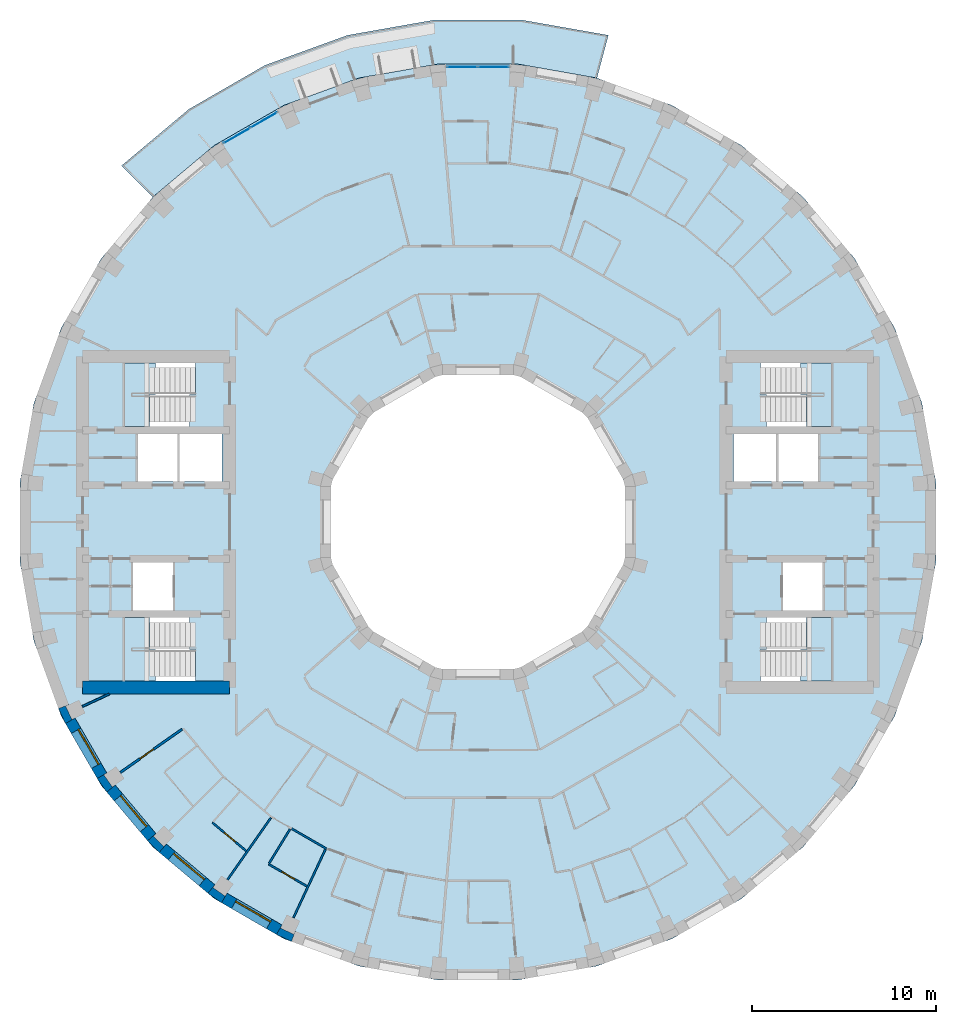
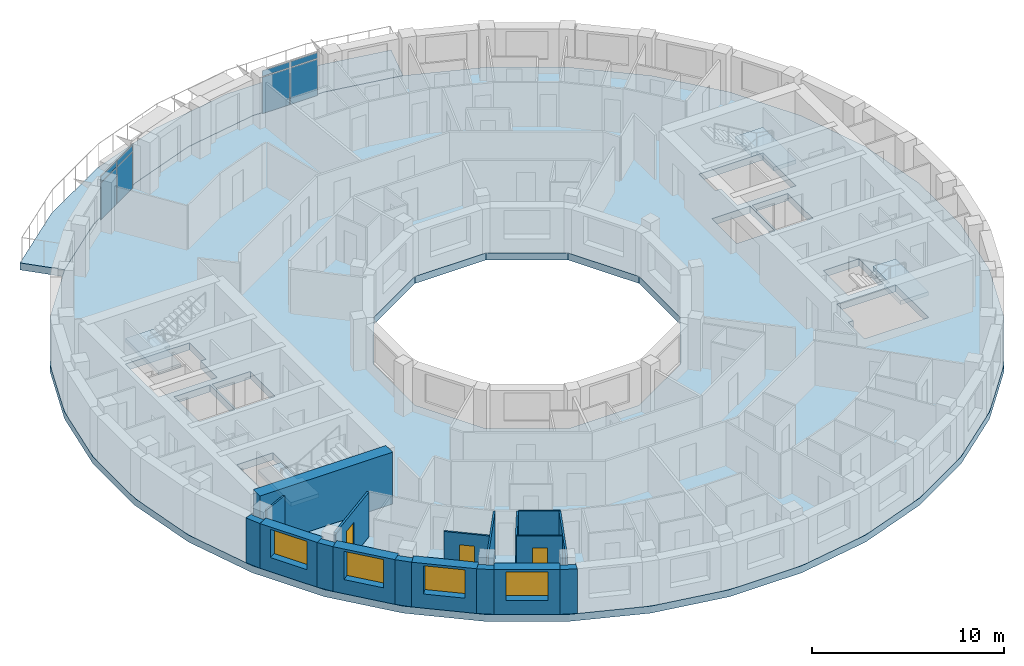
# One storey, part 3 of 14: 18 walls, 8 plates, 6 slabs, 4 windows, 3 doors, 7 openings, 6 elements without a shape of their own.
"""IFC4 building model written with IfcOpenShell, lengths in metres."""

import ifcopenshell
import ifcopenshell.guid

model = None  # the IFC model being written
_history = None  # IfcOwnerHistory: only IFC2X3 demands one
_inside = {}  # id of a spatial element -> (the spatial element, [elements in it])
_under = {}  # id of a project, library or spatial element -> (it, [spatial elements below it])
_declared = {}  # id of a project -> (the project, [libraries it declares])
_typed = {}  # id of a type object -> (the type object, [elements of that type])
_made_of = {}  # id of a material, layer set ... -> (it, [elements and type objects made of it])


def new_model(schema):
    """Start an empty IFC model of exactly this schema.

    Asked for "IFC4X3", IfcOpenShell would pick the latest addendum, in which some entities
    have other attributes; the version numbers below select the first issue.
    IFC2X3 requires an IfcOwnerHistory on every rooted entity: one is made here for all.
    """
    global model, _history
    if schema == "IFC4X3":
        model = ifcopenshell.file(schema_version=(4, 3, 0, 0))
    else:
        model = ifcopenshell.file(schema=schema)
    _inside.clear()
    _under.clear()
    _declared.clear()
    _typed.clear()
    _made_of.clear()
    _history = None
    if model.schema == "IFC2X3":
        org = make("IfcOrganization", Name="unknown")
        user = make(
            "IfcPersonAndOrganization",
            ThePerson=make("IfcPerson", FamilyName="unknown"),
            TheOrganization=org,
        )
        app = make(
            "IfcApplication",
            ApplicationDeveloper=org,
            Version="unknown",
            ApplicationFullName="unknown",
            ApplicationIdentifier="unknown",
        )
        _history = make(
            "IfcOwnerHistory",
            OwningUser=user,
            OwningApplication=app,
            ChangeAction="ADDED",
            CreationDate=0,
        )
    return model


def make(cls, **values):
    """One entity of the class cls with the attributes given. An attribute that is None is left unset."""
    return model.create_entity(
        cls, **{name: value for name, value in values.items() if value is not None}
    )


def rooted(cls, **values):
    """An entity with a GlobalId (a new one), such as an element, a storey or a relation."""
    return make(cls, GlobalId=ifcopenshell.guid.new(), OwnerHistory=_history, **values)


def si_unit(unit_type, name, prefix=None):
    """IfcSIUnit, for example si_unit("LENGTHUNIT", "METRE", prefix="MILLI")."""
    return make("IfcSIUnit", UnitType=unit_type, Prefix=prefix, Name=name)


def assignment(units):
    """IfcUnitAssignment: the units of a project."""
    return None if units is None else make("IfcUnitAssignment", Units=units)


def point(xyz):
    """IfcCartesianPoint."""
    return None if xyz is None else make("IfcCartesianPoint", Coordinates=xyz)


def direction(xyz):
    """IfcDirection."""
    return None if xyz is None else make("IfcDirection", DirectionRatios=xyz)


def frame(location, z_axis=None, x_axis=None):
    """IfcAxis2Placement3D, a coordinate frame: its origin and axes. An axis left out is left unset."""
    return make(
        "IfcAxis2Placement3D",
        Location=point(location),
        Axis=direction(z_axis),
        RefDirection=direction(x_axis),
    )


def frame_2d(location, x_axis=None):
    """IfcAxis2Placement2D, a coordinate frame in the plane: its origin and x axis."""
    return make(
        "IfcAxis2Placement2D", Location=point(location), RefDirection=direction(x_axis)
    )


def origin():
    """The frame at (0, 0, 0) with its axes left unset."""
    return frame((0.0, 0.0, 0.0))


def origin_2d():
    """The frame at (0, 0) in the plane with its x axis left unset."""
    return frame_2d((0.0, 0.0))


def place(relative_to, where):
    """IfcLocalPlacement: puts the frame where relative to a parent placement (None: the world)."""
    return make(
        "IfcLocalPlacement", PlacementRelTo=relative_to, RelativePlacement=where
    )


def context(
    kind, dimensions, precision=None, world=None, true_north=None, identifier=None
):
    """IfcGeometricRepresentationContext, for example the 3D "Model" context."""
    return make(
        "IfcGeometricRepresentationContext",
        ContextIdentifier=identifier,
        ContextType=kind,
        CoordinateSpaceDimension=dimensions,
        Precision=precision,
        WorldCoordinateSystem=world,
        TrueNorth=true_north,
    )


def subcontext(parent, identifier, kind, view, scale=None):
    """IfcGeometricRepresentationSubContext, for example "Body" below "Model"."""
    return make(
        "IfcGeometricRepresentationSubContext",
        ContextIdentifier=identifier,
        ContextType=kind,
        ParentContext=parent,
        TargetScale=scale,
        TargetView=view,
    )


def project(units=None, contexts=None):
    """IfcProject with its units and contexts."""
    return rooted(
        "IfcProject",
        Name="project",
        RepresentationContexts=contexts,
        UnitsInContext=assignment(units),
    )


def spatial(cls, under=None, at=None, **own):
    """A site, building, storey or space (cls), placed at a placement, below another one or the project."""
    s = rooted(cls, ObjectPlacement=at, **own)
    if under is not None:
        _under.setdefault(under.id(), (under, []))[1].append(s)
    return s


def polyline(points):
    """IfcPolyline through the points."""
    return make("IfcPolyline", Points=[point(p) for p in points])


def profile(cls, at=None, kind="AREA", **sizes):
    """A parametric profile (cls). Its sizes go by their IFC names, for example OverallWidth=200.0."""
    return make(cls, ProfileType=kind, Position=at, **sizes)


def rectangle(**sizes):
    """IfcRectangleProfileDef."""
    return profile("IfcRectangleProfileDef", **sizes)


def outline(outer, holes=None, kind="AREA"):
    """IfcArbitraryClosedProfileDef: a profile drawn as a closed curve; with holes, ...WithVoids."""
    if holes is None:
        return make("IfcArbitraryClosedProfileDef", ProfileType=kind, OuterCurve=outer)
    return make(
        "IfcArbitraryProfileDefWithVoids",
        ProfileType=kind,
        OuterCurve=outer,
        InnerCurves=holes,
    )


def extrude(swept, where, along, depth):
    """IfcExtrudedAreaSolid: the profile swept, set in the frame where, extruded along a direction by depth."""
    return make(
        "IfcExtrudedAreaSolid",
        SweptArea=swept,
        Position=where,
        ExtrudedDirection=direction(along),
        Depth=depth,
    )


def shape(context_of_items, identifier, shape_type, items):
    """IfcShapeRepresentation: the items that make up one representation, for example the "Body"."""
    return make(
        "IfcShapeRepresentation",
        ContextOfItems=context_of_items,
        RepresentationIdentifier=identifier,
        RepresentationType=shape_type,
        Items=items,
    )


def material(Name=None, Category=None):
    """IfcMaterial."""
    return make("IfcMaterial", Name=Name, Category=Category)


def layer(
    of_material, thickness, ventilated=None, Name=None, Category=None, Priority=None
):
    """IfcMaterialLayer: one layer of a wall or slab, of a material (None: an air gap)."""
    return make(
        "IfcMaterialLayer",
        Material=of_material,
        LayerThickness=thickness,
        IsVentilated=ventilated,
        Name=Name,
        Category=Category,
        Priority=Priority,
    )


def layer_set(layers, Name=None):
    """IfcMaterialLayerSet."""
    return make("IfcMaterialLayerSet", MaterialLayers=layers, LayerSetName=Name)


def made_of(thing, what):
    """Note that an element or type object is made of a material, layer set ...; save() writes the relation."""
    if what is not None:
        _made_of.setdefault(what.id(), (what, []))[1].append(thing)
    return thing


def type_object(cls, material=None, **own):
    """A type object (cls), such as IfcWallType, which elements share."""
    return made_of(rooted(cls, **own), material)


def element(
    cls,
    number,
    at=None,
    inside=None,
    cuts=None,
    type_object=None,
    material=None,
    context=None,
    identifier="Body",
    shape_type=None,
    held_by="IfcProductDefinitionShape",
    body=None,
    shapes=None,
    **own,
):
    """One element of the class cls, such as IfcWall. Its Tag is "e" and its number.

    at: its placement. inside: the storey or other place that contains it. cuts: it is an
    opening in that element (IfcRelVoidsElement). A single representation is given by context,
    identifier, shape_type and body (its items); several are given by shapes. held_by: the class
    of the entity that holds the representations. save() writes the other relations.
    """
    e = rooted(cls, Tag="e%d" % number, ObjectPlacement=at, **own)
    if body is not None:
        shapes = [shape(context, identifier, shape_type, body)]
    if shapes is not None:
        e.Representation = make(held_by, Representations=shapes)
    if inside is not None:
        _inside.setdefault(inside.id(), (inside, []))[1].append(e)
    if cuts is not None:
        rooted(
            "IfcRelVoidsElement", RelatingBuildingElement=cuts, RelatedOpeningElement=e
        )
    if type_object is not None:
        _typed.setdefault(type_object.id(), (type_object, []))[1].append(e)
    return made_of(e, material)


def fill(opening, filler):
    """IfcRelFillsElement: the door or window that sits in an opening."""
    return rooted(
        "IfcRelFillsElement",
        RelatingOpeningElement=opening,
        RelatedBuildingElement=filler,
    )


def aggregate(whole, parts):
    """IfcRelAggregates: a whole, such as a stair, and the parts it consists of."""
    return rooted("IfcRelAggregates", RelatingObject=whole, RelatedObjects=parts)


def save(model, path):
    """Write the relations noted so far, then the file.

    IfcRelAggregates (storeys below a building ...), IfcRelContainedInSpatialStructure (elements
    in a storey), IfcRelDefinesByType, IfcRelAssociatesMaterial and IfcRelDeclares: one each for
    every whole, place, type object, material and project.
    """
    for whole, parts in _under.values():
        aggregate(whole, parts)
    for where, things in _inside.values():
        rooted(
            "IfcRelContainedInSpatialStructure",
            RelatedElements=things,
            RelatingStructure=where,
        )
    for kind, things in _typed.values():
        rooted("IfcRelDefinesByType", RelatedObjects=things, RelatingType=kind)
    for what, things in _made_of.values():
        rooted("IfcRelAssociatesMaterial", RelatedObjects=things, RelatingMaterial=what)
    for by, libraries in _declared.values():
        rooted("IfcRelDeclares", RelatingContext=by, RelatedDefinitions=libraries)
    model.write(path)


model = new_model("IFC4")

# Units and contexts
model_context = context("Model", 3, precision=1e-05, world=origin(), true_north=direction((0.0, 1.0)))
body_context = subcontext(model_context, "Body", "Model", "MODEL_VIEW")
ifc_project = project(units=[si_unit("LENGTHUNIT", "METRE"), si_unit("AREAUNIT", "SQUARE_METRE"), si_unit("VOLUMEUNIT", "CUBIC_METRE"), si_unit("PLANEANGLEUNIT", "RADIAN"), si_unit("MASSUNIT", "GRAM", prefix="KILO")], contexts=[model_context])

# Site, building, storey
site_placement = place(None, origin())
site = spatial("IfcSite", under=ifc_project, at=site_placement, CompositionType="ELEMENT")
building_placement = place(site_placement, origin())
building = spatial("IfcBuilding", under=site, at=building_placement, Name="Saqina Gate Tower", CompositionType="ELEMENT")
storey_placement = place(building_placement, frame((0.0, 0.0, 213.60009765625)))
storey = spatial("IfcBuildingStorey", under=building, at=storey_placement, Name="L61", CompositionType="ELEMENT", Elevation=213.60009765625)

# Curtain wall, plates
ifc_material_1 = material(Name="Aluminium glazing", Category="aluminium")
ifc_layer_1 = layer(ifc_material_1, 0.159912109375)
ifc_layer_set_1 = layer_set([ifc_layer_1], Name="CWT-4")
curtain_wall_type = type_object("IfcCurtainWallType", Name="CWT-4", PredefinedType="NOTDEFINED", material=ifc_layer_set_1)
curtain_wall_1_placement = place(storey_placement, origin())
curtain_wall_1 = element("IfcCurtainWall", 1, at=curtain_wall_1_placement, inside=storey, type_object=curtain_wall_type, Name="Terrace lounge glazing facet 9", PredefinedType="NOTDEFINED")
ifc_material_2 = material(Name="Glass", Category="glass")
ifc_layer_2 = layer(ifc_material_2, 0.028076171875)
ifc_layer_set_2 = layer_set([ifc_layer_2], Name="CWT-4P")
plate_type = type_object("IfcPlateType", Name="CWT-4P", PredefinedType="CURTAIN_PANEL", material=ifc_layer_set_2)
plate_1_placement = place(storey_placement, frame((0.847412109375, 24.7548828125, 0.059814453125), z_axis=(0.0, 0.0, 1.0), x_axis=(-1.0, 0.0, 0.0)))
plate_1 = element("IfcPlate", 2, at=plate_1_placement, type_object=plate_type, Name="CW4-09 panel 1.1", PredefinedType="CURTAIN_PANEL", context=body_context, shape_type="SweptSolid", body=[
    extrude(rectangle(XDim=1.635009765625, YDim=0.028076171875, at=origin_2d()), origin(), (0.0, 0.0, 1.0), 2.31005859375),
])
plate_2_placement = place(storey_placement, frame((0.847412109375, 24.7548828125, 2.4296875), z_axis=(0.0, 0.0, 1.0), x_axis=(-1.0, 0.0, 0.0)))
plate_2 = element("IfcPlate", 3, at=plate_2_placement, type_object=plate_type, Name="CW4-09 panel 1.2", PredefinedType="CURTAIN_PANEL", context=body_context, shape_type="SweptSolid", body=[
    extrude(rectangle(XDim=1.635009765625, YDim=0.028076171875, at=origin_2d()), origin(), (0.0, 0.0, 1.0), 0.360107421875),
])
plate_3_placement = place(storey_placement, frame((-0.847412109375, 24.7548828125, 0.059814453125), z_axis=(0.0, 0.0, 1.0), x_axis=(-1.0, 0.0, 0.0)))
plate_3 = element("IfcPlate", 4, at=plate_3_placement, type_object=plate_type, Name="CW4-09 panel 2.1", PredefinedType="CURTAIN_PANEL", context=body_context, shape_type="SweptSolid", body=[
    extrude(rectangle(XDim=1.635009765625, YDim=0.028076171875, at=origin_2d()), origin(), (0.0, 0.0, 1.0), 2.31005859375),
])
plate_4_placement = place(storey_placement, frame((-0.847412109375, 24.7548828125, 2.4296875), z_axis=(0.0, 0.0, 1.0), x_axis=(-1.0, 0.0, 0.0)))
plate_4 = element("IfcPlate", 5, at=plate_4_placement, type_object=plate_type, Name="CW4-09 panel 2.2", PredefinedType="CURTAIN_PANEL", context=body_context, shape_type="SweptSolid", body=[
    extrude(rectangle(XDim=1.635009765625, YDim=0.028076171875, at=origin_2d()), origin(), (0.0, 0.0, 1.0), 0.360107421875),
])
aggregate(curtain_wall_1, [plate_1, plate_2, plate_3, plate_4])

curtain_wall_2_placement = place(storey_placement, origin())
curtain_wall_2 = element("IfcCurtainWall", 6, at=curtain_wall_2_placement, inside=storey, type_object=curtain_wall_type, Name="Terrace lounge glazing facet 12", PredefinedType="NOTDEFINED")
plate_5_placement = place(storey_placement, frame((-11.6435546875, 21.862060546875, 0.059814453125), z_axis=(0.0, 0.0, 1.0), x_axis=(-0.866017110341, -0.500014364391, 0.0)))
plate_5 = element("IfcPlate", 7, at=plate_5_placement, type_object=plate_type, Name="CW4-12 panel 1.1", PredefinedType="CURTAIN_PANEL", context=body_context, shape_type="SweptSolid", body=[
    extrude(rectangle(XDim=1.634765625, YDim=0.028076171875, at=origin_2d()), origin(), (0.0, 0.0, 1.0), 2.31005859375),
])
plate_6_placement = place(storey_placement, frame((-11.6435546875, 21.862060546875, 2.4296875), z_axis=(0.0, 0.0, 1.0), x_axis=(-0.866017110341, -0.500014364391, 0.0)))
plate_6 = element("IfcPlate", 8, at=plate_6_placement, type_object=plate_type, Name="CW4-12 panel 1.2", PredefinedType="CURTAIN_PANEL", context=body_context, shape_type="SweptSolid", body=[
    extrude(rectangle(XDim=1.634765625, YDim=0.028076171875, at=origin_2d()), origin(), (0.0, 0.0, 1.0), 0.360107421875),
])
plate_7_placement = place(storey_placement, frame((-13.111328125, 21.0146484375, 0.059814453125), z_axis=(0.0, 0.0, 1.0), x_axis=(-0.866017110341, -0.500014364391, 0.0)))
plate_7 = element("IfcPlate", 9, at=plate_7_placement, type_object=plate_type, Name="CW4-12 panel 2.1", PredefinedType="CURTAIN_PANEL", context=body_context, shape_type="SweptSolid", body=[
    extrude(rectangle(XDim=1.634765625, YDim=0.028076171875, at=origin_2d()), origin(), (0.0, 0.0, 1.0), 2.31005859375),
])
plate_8_placement = place(storey_placement, frame((-13.111328125, 21.0146484375, 2.4296875), z_axis=(0.0, 0.0, 1.0), x_axis=(-0.866017110341, -0.500014364391, 0.0)))
plate_8 = element("IfcPlate", 10, at=plate_8_placement, type_object=plate_type, Name="CW4-12 panel 2.2", PredefinedType="CURTAIN_PANEL", context=body_context, shape_type="SweptSolid", body=[
    extrude(rectangle(XDim=1.634765625, YDim=0.028076171875, at=origin_2d()), origin(), (0.0, 0.0, 1.0), 0.360107421875),
])
aggregate(curtain_wall_2, [plate_5, plate_6, plate_7, plate_8])

# Stair, slab
ifc_material_3 = material(Name="Concrete C40/50", Category="concrete")
stair_type = type_object("IfcStairType", Name="EXIT STAIR", PredefinedType="HALF_TURN_STAIR", material=ifc_material_3)
stair_1_placement = place(storey_placement, origin())
stair_1 = element("IfcStair", 11, at=stair_1_placement, inside=storey, type_object=stair_type, Name="EXIT STAIR 1", PredefinedType="HALF_TURN_STAIR")
ifc_material_4 = material(Name="Concrete C40/50", Category="concrete")
ifc_layer_3 = layer(ifc_material_4, 0.25)
ifc_layer_set_3 = layer_set([ifc_layer_3], Name="Concrete C40/50")
slab_type_1 = type_object("IfcSlabType", Name="EXIT STAIR LANDING", PredefinedType="LANDING", material=ifc_layer_set_3)
slab_1_placement = place(storey_placement, frame((0.0, 0.0, 1.39990234375)))
slab_1 = element("IfcSlab", 12, at=slab_1_placement, type_object=slab_type_1, Name="EXIT STAIR 1 LANDING 1", PredefinedType="LANDING", context=body_context, shape_type="SweptSolid", body=[
    extrude(outline(polyline([(19.219970703125, 8.64990234375), (19.219970703125, 5.199951171875), (17.864990234375, 5.199951171875), (17.864990234375, 6.925048828125), (17.534423828125, 6.925048828125), (17.534423828125, 8.64990234375), (17.864990234375, 8.64990234375), (17.8701171875, 8.64990234375), (19.219970703125, 8.64990234375)])), origin(), (0.0, 0.0, 1.0), 0.25),
])
aggregate(stair_1, [slab_1])

stair_2_placement = place(storey_placement, origin())
stair_2 = element("IfcStair", 13, at=stair_2_placement, inside=storey, type_object=stair_type, Name="EXIT STAIR 2", PredefinedType="HALF_TURN_STAIR")
slab_2_placement = place(storey_placement, frame((0.0, 0.0, 1.39990234375)))
slab_2 = element("IfcSlab", 14, at=slab_2_placement, type_object=slab_type_1, Name="EXIT STAIR 2 LANDING 1", PredefinedType="LANDING", context=body_context, shape_type="SweptSolid", body=[
    extrude(outline(polyline([(17.534423828125, -8.64990234375), (17.534423828125, -6.925048828125), (17.864990234375, -6.925048828125), (17.864990234375, -5.199951171875), (19.219970703125, -5.199951171875), (19.219970703125, -8.64990234375), (17.8701171875, -8.64990234375), (17.864990234375, -8.64990234375), (17.534423828125, -8.64990234375)])), origin(), (0.0, 0.0, 1.0), 0.25),
])
aggregate(stair_2, [slab_2])

stair_3_placement = place(storey_placement, origin())
stair_3 = element("IfcStair", 15, at=stair_3_placement, inside=storey, type_object=stair_type, Name="EXIT STAIR 3", PredefinedType="HALF_TURN_STAIR")
slab_3_placement = place(storey_placement, frame((0.0, 0.0, 1.39990234375)))
slab_3 = element("IfcSlab", 16, at=slab_3_placement, type_object=slab_type_1, Name="EXIT STAIR 3 LANDING 1", PredefinedType="LANDING", context=body_context, shape_type="SweptSolid", body=[
    extrude(outline(polyline([(-17.864990234375, 5.199951171875), (-19.219970703125, 5.199951171875), (-19.219970703125, 8.64990234375), (-17.8701171875, 8.64990234375), (-17.864990234375, 8.64990234375), (-17.534423828125, 8.64990234375), (-17.534423828125, 6.925048828125), (-17.864990234375, 6.925048828125), (-17.864990234375, 5.199951171875)])), origin(), (0.0, 0.0, 1.0), 0.25),
])
aggregate(stair_3, [slab_3])

stair_4_placement = place(storey_placement, origin())
stair_4 = element("IfcStair", 17, at=stair_4_placement, inside=storey, type_object=stair_type, Name="EXIT STAIR 4", PredefinedType="HALF_TURN_STAIR")
slab_4_placement = place(storey_placement, frame((0.0, 0.0, 1.39990234375)))
slab_4 = element("IfcSlab", 18, at=slab_4_placement, type_object=slab_type_1, Name="EXIT STAIR 4 LANDING 1", PredefinedType="LANDING", context=body_context, shape_type="SweptSolid", body=[
    extrude(outline(polyline([(-17.534423828125, -6.925048828125), (-17.534423828125, -8.64990234375), (-17.864990234375, -8.64990234375), (-17.8701171875, -8.64990234375), (-19.219970703125, -8.64990234375), (-19.219970703125, -5.199951171875), (-17.864990234375, -5.199951171875), (-17.864990234375, -6.925048828125), (-17.534423828125, -6.925048828125)])), origin(), (0.0, 0.0, 1.0), 0.25),
])
aggregate(stair_4, [slab_4])

# Slabs
ifc_material_5 = material(Name="Concrete C40/50", Category="concrete")
ifc_layer_4 = layer(ifc_material_5, 0.449951171875)
ifc_layer_set_4 = layer_set([ifc_layer_4], Name="Concrete C40/50")
slab_type_2 = type_object("IfcSlabType", Name="STR-POST-TENSIONED FLAT PLATE FLOOR-450", PredefinedType="FLOOR", material=ifc_layer_set_4)
slab_5_placement = place(storey_placement, frame((0.0, 0.0, -0.4501953125)))
element("IfcSlab", 19, at=slab_5_placement, inside=storey, type_object=slab_type_2, Name="L61-SLB01", PredefinedType="FLOOR", context=body_context, shape_type="SweptSolid", body=[
    extrude(outline(polyline([(24.148193359375, -6.470458984375), (24.90478515625, -2.178955078125), (24.90478515625, 2.178955078125), (24.148193359375, 6.470458984375), (22.65771484375, 10.5654296875), (20.478759765625, 14.33935546875), (17.677734375, 17.677734375), (14.33935546875, 20.478759765625), (10.5654296875, 22.65771484375), (6.470458984375, 24.148193359375), (2.178955078125, 24.90478515625), (-2.178955078125, 24.90478515625), (-6.470458984375, 24.148193359375), (-10.5654296875, 22.65771484375), (-14.33935546875, 20.478759765625), (-17.677734375, 17.677734375), (-20.478759765625, 14.33935546875), (-22.65771484375, 10.5654296875), (-24.148193359375, 6.470458984375), (-24.90478515625, 2.178955078125), (-24.90478515625, -2.178955078125), (-24.148193359375, -6.470458984375), (-22.65771484375, -10.5654296875), (-20.478759765625, -14.33935546875), (-17.677734375, -17.677734375), (-14.33935546875, -20.478759765625), (-10.5654296875, -22.65771484375), (-6.470458984375, -24.148193359375), (-2.178955078125, -24.90478515625), (2.178955078125, -24.90478515625), (6.470458984375, -24.148193359375), (10.5654296875, -22.65771484375), (14.33935546875, -20.478759765625), (17.677734375, -17.677734375), (20.478759765625, -14.33935546875), (22.65771484375, -10.5654296875), (24.148193359375, -6.470458984375)]), holes=[polyline([(2.1435546875, 8.0), (5.8564453125, 5.8564453125), (8.0, 2.1435546875), (8.0, -2.1435546875), (5.8564453125, -5.8564453125), (2.1435546875, -8.0), (-2.1435546875, -8.0), (-5.8564453125, -5.8564453125), (-8.0, -2.1435546875), (-8.0, 2.1435546875), (-5.8564453125, 5.8564453125), (-2.1435546875, 8.0), (2.1435546875, 8.0)]), polyline([(-15.35498046875, -8.64990234375), (-19.219970703125, -8.64990234375), (-19.219970703125, -6.925048828125), (-19.219970703125, -5.199951171875), (-15.685546875, -5.199951171875), (-15.685546875, -6.925048828125), (-15.35498046875, -6.925048828125), (-15.35498046875, -8.64990234375)]), polyline([(-16.590087890625, -2.199951171875), (-16.590087890625, -4.800048828125), (-18.75, -4.800048828125), (-18.75, -2.199951171875), (-16.590087890625, -2.199951171875)]), polyline([(-16.340087890625, 4.800048828125), (-16.340087890625, 2.199951171875), (-18.5, 2.199951171875), (-18.5, 4.800048828125), (-16.340087890625, 4.800048828125)]), polyline([(-13.909912109375, 4.800048828125), (-13.909912109375, 2.199951171875), (-16.219970703125, 2.199951171875), (-16.219970703125, 4.800048828125), (-13.909912109375, 4.800048828125)]), polyline([(-19.219970703125, 6.925048828125), (-19.219970703125, 8.64990234375), (-15.35498046875, 8.64990234375), (-15.35498046875, 6.925048828125), (-15.685546875, 6.925048828125), (-15.685546875, 5.199951171875), (-19.219970703125, 5.199951171875), (-19.219970703125, 6.925048828125)]), polyline([(15.35498046875, -8.64990234375), (15.35498046875, -6.925048828125), (15.685546875, -6.925048828125), (15.685546875, -5.199951171875), (19.219970703125, -5.199951171875), (19.219970703125, -6.925048828125), (19.219970703125, -8.64990234375), (15.35498046875, -8.64990234375)]), polyline([(18.75, -2.199951171875), (18.75, -4.800048828125), (16.590087890625, -4.800048828125), (16.590087890625, -2.199951171875), (18.75, -2.199951171875)]), polyline([(16.219970703125, 4.800048828125), (16.219970703125, 2.199951171875), (13.909912109375, 2.199951171875), (13.909912109375, 4.800048828125), (16.219970703125, 4.800048828125)]), polyline([(18.5, 4.800048828125), (18.5, 2.199951171875), (16.340087890625, 2.199951171875), (16.340087890625, 4.800048828125), (18.5, 4.800048828125)]), polyline([(15.685546875, 6.925048828125), (15.35498046875, 6.925048828125), (15.35498046875, 8.64990234375), (19.219970703125, 8.64990234375), (19.219970703125, 6.925048828125), (19.219970703125, 5.199951171875), (15.685546875, 5.199951171875), (15.685546875, 6.925048828125)])]), origin(), (0.0, 0.0, 1.0), 0.4501953125),
])
ifc_material_6 = material(Name="Concrete C40/50", Category="concrete")
ifc_layer_5 = layer(ifc_material_6, 0.449951171875)
ifc_layer_set_5 = layer_set([ifc_layer_5], Name="Concrete C40/50")
slab_type_3 = type_object("IfcSlabType", Name="STR-POST-TENSIONED FLAT PLATE TERRACE-450", PredefinedType="FLOOR", material=ifc_layer_set_5)
slab_6_placement = place(storey_placement, frame((0.0, 0.0, -0.4501953125)))
element("IfcSlab", 20, at=slab_6_placement, inside=storey, type_object=slab_type_3, Name="L61-TRS01", PredefinedType="FLOOR", context=body_context, shape_type="SweptSolid", body=[
    extrude(outline(polyline([(6.470458984375, 24.148193359375), (2.178955078125, 24.90478515625), (-2.178955078125, 24.90478515625), (-6.470458984375, 24.148193359375), (-10.5654296875, 22.65771484375), (-14.33935546875, 20.478759765625), (-17.677734375, 17.677734375), (-19.381103515625, 19.381103515625), (-15.72119140625, 22.452392578125), (-11.58349609375, 24.841064453125), (-7.093994140625, 26.475341796875), (-2.388916015625, 27.304931640625), (2.388916015625, 27.304931640625), (7.093994140625, 26.475341796875), (6.470458984375, 24.148193359375)])), origin(), (0.0, 0.0, 1.0), 0.4501953125),
])

# Walls
ifc_material_7 = material(Name="Brick masonry (buff)", Category="masonry")
wall_type_1 = type_object("IfcWallType", Name="BRICK PIER COPING BUFF", PredefinedType="SOLIDWALL", material=ifc_material_7)
wall_1_placement = place(storey_placement, origin())
element("IfcWall", 21, at=wall_1_placement, inside=storey, type_object=wall_type_1, Name="Pier cap L61 column 21", PredefinedType="SOLIDWALL", context=body_context, shape_type="SweptSolid", body=[
    extrude(outline(polyline([(-22.4306640625, -10.958740234375), (-21.9111328125, -10.65869140625), (-22.080810546875, -10.73779296875), (-22.4189453125, -10.0126953125), (-22.249267578125, -9.93359375), (-22.81298828125, -10.138916015625), (-22.4306640625, -10.958740234375)])), origin(), (0.0, 0.0, 1.0), 2.849853515625),
])
wall_2_placement = place(storey_placement, origin())
element("IfcWall", 22, at=wall_2_placement, inside=storey, type_object=wall_type_1, Name="Pier cap L61 column 22", PredefinedType="SOLIDWALL", context=body_context, shape_type="SweptSolid", body=[
    extrude(outline(polyline([(-20.705810546875, -13.9462890625), (-20.18701171875, -14.687255859375), (-19.727294921875, -14.301513671875), (-19.880859375, -14.408935546875), (-20.339599609375, -13.753662109375), (-20.186279296875, -13.646240234375), (-20.705810546875, -13.9462890625)])), origin(), (0.0, 0.0, 1.0), 2.849853515625),
])
wall_3_placement = place(storey_placement, origin())
element("IfcWall", 23, at=wall_3_placement, inside=storey, type_object=wall_type_1, Name="Pier cap L61 column 23", PredefinedType="SOLIDWALL", context=body_context, shape_type="SweptSolid", body=[
    extrude(outline(polyline([(-17.329833984375, -17.969482421875), (-16.944091796875, -17.510009765625), (-17.07666015625, -17.642333984375), (-17.642333984375, -17.07666015625), (-17.510009765625, -16.944091796875), (-17.969482421875, -17.329833984375), (-17.329833984375, -17.969482421875)])), origin(), (0.0, 0.0, 1.0), 2.849853515625),
])
wall_4_placement = place(storey_placement, origin())
element("IfcWall", 24, at=wall_4_placement, inside=storey, type_object=wall_type_1, Name="Pier cap L61 column 24", PredefinedType="SOLIDWALL", context=body_context, shape_type="SweptSolid", body=[
    extrude(outline(polyline([(-14.687255859375, -20.18701171875), (-13.9462890625, -20.705810546875), (-13.646240234375, -20.186279296875), (-13.753662109375, -20.339599609375), (-14.408935546875, -19.880859375), (-14.301513671875, -19.727294921875), (-14.687255859375, -20.18701171875)])), origin(), (0.0, 0.0, 1.0), 2.849853515625),
])
wall_5_placement = place(storey_placement, origin())
element("IfcWall", 25, at=wall_5_placement, inside=storey, type_object=wall_type_1, Name="Pier cap L61 column 25", PredefinedType="SOLIDWALL", context=body_context, shape_type="SweptSolid", body=[
    extrude(outline(polyline([(-10.138916015625, -22.81298828125), (-9.93359375, -22.249267578125), (-10.0126953125, -22.4189453125), (-10.73779296875, -22.080810546875), (-10.65869140625, -21.9111328125), (-10.958740234375, -22.4306640625), (-10.138916015625, -22.81298828125)])), origin(), (0.0, 0.0, 1.0), 2.849853515625),
])

# Wall, opening, window
ifc_material_8 = material(Name="Brick masonry (buff)", Category="masonry")
ifc_layer_6 = layer(ifc_material_8, 0.60009765625)
ifc_layer_set_6 = layer_set([ifc_layer_6], Name="FW-BRICK-BUFF")
wall_type_2 = type_object("IfcWallType", Name="FW-BRICK-BUFF", PredefinedType="SOLIDWALL", material=ifc_layer_set_6)
wall_6_placement = place(storey_placement, frame((-22.1708984375, -10.80859375, 0.0), z_axis=(0.0, 0.0, 1.0), x_axis=(0.499998129301, -0.86602648383, 0.0)))
wall_6 = element("IfcWall", 26, at=wall_6_placement, inside=storey, type_object=wall_type_2, Name="Facade wall L61 facet 21", PredefinedType="SOLIDWALL", context=body_context, shape_type="SweptSolid", body=[
    extrude(rectangle(XDim=3.44970703125, YDim=0.60009765625, at=frame_2d((1.724853515625, 0.0))), origin(), (0.0, 0.0, 1.0), 2.849853515625),
])
opening_1_placement = place(wall_6_placement, frame((0.625, 0.0, 0.89990234375)))
opening_1 = element("IfcOpeningElement", 27, at=opening_1_placement, cuts=wall_6, Name="Opening G18-W10", PredefinedType="OPENING", context=body_context, shape_type="SweptSolid", body=[
    extrude(rectangle(XDim=2.199951171875, YDim=1.800048828125, at=frame_2d((1.10009765625, 0.89990234375))), frame((0.0, 0.31201171875, 0.0), z_axis=(0.0, -1.0, 0.0), x_axis=(1.0, 0.0, 0.0)), (0.0, 0.0, 1.0), 0.6240234375),
])
ifc_material_9 = material(Name="Aluminium glazing", Category="aluminium")
window_type = type_object("IfcWindowType", Name="WN-C", PartitioningType="SINGLE_PANEL", PredefinedType="WINDOW", material=ifc_material_9)
window_1_placement = place(opening_1_placement, origin())
window_1 = element("IfcWindow", 28, at=window_1_placement, inside=storey, type_object=window_type, Name="Window L61 facet 21", OverallHeight=1.800048828125, OverallWidth=2.199951171875, PartitioningType="SINGLE_PANEL", PredefinedType="WINDOW", context=body_context, shape_type="SweptSolid", body=[
    extrude(rectangle(XDim=2.199951171875, YDim=1.800048828125, at=frame_2d((1.10009765625, 0.89990234375))), frame((0.0, 0.179931640625, 0.0), z_axis=(0.0, -1.0, 0.0), x_axis=(1.0, 0.0, 0.0)), (0.0, 0.0, 1.0), 0.06005859375),
])
fill(opening_1, window_1)

wall_7_placement = place(storey_placement, frame((-19.95703125, -14.494384765625, 0.0), z_axis=(0.0, 0.0, 1.0), x_axis=(0.642770398358, -0.766058884809, 0.0)))
wall_7 = element("IfcWall", 29, at=wall_7_placement, inside=storey, type_object=wall_type_2, Name="Facade wall L61 facet 22", PredefinedType="SOLIDWALL", context=body_context, shape_type="SweptSolid", body=[
    extrude(rectangle(XDim=3.449462890625, YDim=0.60009765625, at=frame_2d((1.724609375, 0.0))), origin(), (0.0, 0.0, 1.0), 2.849853515625),
])
opening_2_placement = place(wall_7_placement, frame((0.625, 0.0, 0.89990234375)))
opening_2 = element("IfcOpeningElement", 30, at=opening_2_placement, cuts=wall_7, Name="Opening G18-W11", PredefinedType="OPENING", context=body_context, shape_type="SweptSolid", body=[
    extrude(rectangle(XDim=2.199951171875, YDim=1.800048828125, at=frame_2d((1.10009765625, 0.89990234375))), frame((0.0, 0.31201171875, 0.0), z_axis=(0.0, -1.0, 0.0), x_axis=(1.0, 0.0, 0.0)), (0.0, 0.0, 1.0), 0.6240234375),
])
window_2_placement = place(opening_2_placement, origin())
window_2 = element("IfcWindow", 31, at=window_2_placement, inside=storey, type_object=window_type, Name="Window L61 facet 22", OverallHeight=1.800048828125, OverallWidth=2.199951171875, PartitioningType="SINGLE_PANEL", PredefinedType="WINDOW", context=body_context, shape_type="SweptSolid", body=[
    extrude(rectangle(XDim=2.199951171875, YDim=1.800048828125, at=frame_2d((1.10009765625, 0.89990234375))), frame((0.0, 0.179931640625, 0.0), z_axis=(0.0, -1.0, 0.0), x_axis=(1.0, 0.0, 0.0)), (0.0, 0.0, 1.0), 0.06005859375),
])
fill(opening_2, window_2)

wall_8_placement = place(storey_placement, frame((-17.136962890625, -17.73974609375, 0.0), z_axis=(0.0, 0.0, 1.0), x_axis=(0.766058884809, -0.642770398358, 0.0)))
wall_8 = element("IfcWall", 32, at=wall_8_placement, inside=storey, type_object=wall_type_2, Name="Facade wall L61 facet 23", PredefinedType="SOLIDWALL", context=body_context, shape_type="SweptSolid", body=[
    extrude(rectangle(XDim=3.449462890625, YDim=0.60009765625, at=frame_2d((1.724609375, 0.0))), origin(), (0.0, 0.0, 1.0), 2.849853515625),
])
opening_3_placement = place(wall_8_placement, frame((0.625, 0.0, 0.89990234375)))
opening_3 = element("IfcOpeningElement", 33, at=opening_3_placement, cuts=wall_8, Name="Opening G18-W12", PredefinedType="OPENING", context=body_context, shape_type="SweptSolid", body=[
    extrude(rectangle(XDim=2.199951171875, YDim=1.800048828125, at=frame_2d((1.10009765625, 0.89990234375))), frame((0.0, 0.31201171875, 0.0), z_axis=(0.0, -1.0, 0.0), x_axis=(1.0, 0.0, 0.0)), (0.0, 0.0, 1.0), 0.6240234375),
])
window_3_placement = place(opening_3_placement, origin())
window_3 = element("IfcWindow", 34, at=window_3_placement, inside=storey, type_object=window_type, Name="Window L61 facet 23", OverallHeight=1.800048828125, OverallWidth=2.199951171875, PartitioningType="SINGLE_PANEL", PredefinedType="WINDOW", context=body_context, shape_type="SweptSolid", body=[
    extrude(rectangle(XDim=2.199951171875, YDim=1.800048828125, at=frame_2d((1.10009765625, 0.89990234375))), frame((0.0, 0.179931640625, 0.0), z_axis=(0.0, -1.0, 0.0), x_axis=(1.0, 0.0, 0.0)), (0.0, 0.0, 1.0), 0.06005859375),
])
fill(opening_3, window_3)

wall_9_placement = place(storey_placement, frame((-13.796142578125, -20.446044921875, 0.0), z_axis=(0.0, 0.0, 1.0), x_axis=(0.86602648383, -0.499998129301, 0.0)))
wall_9 = element("IfcWall", 35, at=wall_9_placement, inside=storey, type_object=wall_type_2, Name="Facade wall L61 facet 24", PredefinedType="SOLIDWALL", context=body_context, shape_type="SweptSolid", body=[
    extrude(rectangle(XDim=3.44970703125, YDim=0.60009765625, at=frame_2d((1.724853515625, 0.0))), origin(), (0.0, 0.0, 1.0), 2.849853515625),
])
opening_4_placement = place(wall_9_placement, frame((0.625, 0.0, 0.89990234375)))
opening_4 = element("IfcOpeningElement", 36, at=opening_4_placement, cuts=wall_9, Name="Opening G18-W13", PredefinedType="OPENING", context=body_context, shape_type="SweptSolid", body=[
    extrude(rectangle(XDim=2.199951171875, YDim=1.800048828125, at=frame_2d((1.10009765625, 0.89990234375))), frame((0.0, 0.31201171875, 0.0), z_axis=(0.0, -1.0, 0.0), x_axis=(1.0, 0.0, 0.0)), (0.0, 0.0, 1.0), 0.6240234375),
])
window_4_placement = place(opening_4_placement, origin())
window_4 = element("IfcWindow", 37, at=window_4_placement, inside=storey, type_object=window_type, Name="Window L61 facet 24", OverallHeight=1.800048828125, OverallWidth=2.199951171875, PartitioningType="SINGLE_PANEL", PredefinedType="WINDOW", context=body_context, shape_type="SweptSolid", body=[
    extrude(rectangle(XDim=2.199951171875, YDim=1.800048828125, at=frame_2d((1.10009765625, 0.89990234375))), frame((0.0, 0.179931640625, 0.0), z_axis=(0.0, -1.0, 0.0), x_axis=(1.0, 0.0, 0.0)), (0.0, 0.0, 1.0), 0.06005859375),
])
fill(opening_4, window_4)

# Wall, opening, door
ifc_material_10 = material(Name="Gypsum board on steel studs, 100 mm", Category="steel")
ifc_layer_7 = layer(ifc_material_10, 0.10009765625)
ifc_layer_set_7 = layer_set([ifc_layer_7], Name="PARTITION 100")
wall_type_3 = type_object("IfcWallType", Name="PARTITION 100", PredefinedType="PARTITIONING", material=ifc_layer_set_7)
wall_10_placement = place(storey_placement, frame((-14.44189453125, -16.345947265625, 0.0), z_axis=(0.0, 0.0, 1.0), x_axis=(0.765878189611, -0.642985690882, 0.0)))
wall_10 = element("IfcWall", 38, at=wall_10_placement, inside=storey, type_object=wall_type_3, Name="PARTITION PW3-21", PredefinedType="PARTITIONING", context=body_context, shape_type="SweptSolid", body=[
    extrude(rectangle(XDim=2.413818359375, YDim=0.10009765625, at=frame_2d((1.20703125, 0.0))), origin(), (0.0, 0.0, 1.0), 2.849853515625),
])
opening_5_placement = place(wall_10_placement, frame((0.831787109375, 0.0, 0.0)))
opening_5 = element("IfcOpeningElement", 39, at=opening_5_placement, cuts=wall_10, Name="Opening G18-D29", PredefinedType="OPENING", context=body_context, shape_type="SweptSolid", body=[
    extrude(rectangle(XDim=0.800048828125, YDim=2.10009765625, at=frame_2d((0.39990234375, 1.050048828125))), frame((0.0, 0.06201171875, 0.0), z_axis=(0.0, -1.0, 0.0), x_axis=(1.0, 0.0, 0.0)), (0.0, 0.0, 1.0), 0.1240234375),
])
ifc_material_11 = material(Name="Timber door leaf, 800 mm", Category="wood")
door_type_1 = type_object("IfcDoorType", Name="DOOR 800 TIMBER", OperationType="SINGLE_SWING_LEFT", PredefinedType="DOOR", material=ifc_material_11)
door_1_placement = place(opening_5_placement, frame((0.800048828125, 0.0, 0.0), z_axis=(0.0, 0.0, 1.0), x_axis=(-1.0, 0.0, 0.0)))
door_1 = element("IfcDoor", 40, at=door_1_placement, inside=storey, type_object=door_type_1, Name="DOOR G18-D29", OperationType="SINGLE_SWING_LEFT", OverallHeight=2.10009765625, OverallWidth=0.800048828125, PredefinedType="DOOR", context=body_context, shape_type="SweptSolid", body=[
    extrude(rectangle(XDim=0.800048828125, YDim=2.10009765625, at=frame_2d((0.39990234375, 1.050048828125))), frame((0.0, 0.02490234375, 0.0), z_axis=(0.0, -1.0, 0.0), x_axis=(1.0, 0.0, 0.0)), (0.0, 0.0, 1.0), 0.050048828125),
])
fill(opening_5, door_1)

wall_11_placement = place(storey_placement, frame((-11.385009765625, -18.60498046875, 0.0), z_axis=(0.0, 0.0, 1.0), x_axis=(0.866145191815, -0.499792463624, 0.0)))
wall_11 = element("IfcWall", 41, at=wall_11_placement, inside=storey, type_object=wall_type_3, Name="PARTITION PW3-25", PredefinedType="PARTITIONING", context=body_context, shape_type="SweptSolid", body=[
    extrude(rectangle(XDim=2.4150390625, YDim=0.10009765625, at=frame_2d((1.20751953125, 0.0))), origin(), (0.0, 0.0, 1.0), 2.849853515625),
])
opening_6_placement = place(wall_11_placement, frame((0.83251953125, 0.0, 0.0)))
opening_6 = element("IfcOpeningElement", 42, at=opening_6_placement, cuts=wall_11, Name="Opening G18-D34", PredefinedType="OPENING", context=body_context, shape_type="SweptSolid", body=[
    extrude(rectangle(XDim=0.800048828125, YDim=2.10009765625, at=frame_2d((0.39990234375, 1.050048828125))), frame((0.0, 0.06201171875, 0.0), z_axis=(0.0, -1.0, 0.0), x_axis=(1.0, 0.0, 0.0)), (0.0, 0.0, 1.0), 0.1240234375),
])
door_2_placement = place(opening_6_placement, frame((0.800048828125, 0.0, 0.0), z_axis=(0.0, 0.0, 1.0), x_axis=(-1.0, 0.0, 0.0)))
door_2 = element("IfcDoor", 43, at=door_2_placement, inside=storey, type_object=door_type_1, Name="DOOR G18-D34", OperationType="SINGLE_SWING_LEFT", OverallHeight=2.10009765625, OverallWidth=0.800048828125, PredefinedType="DOOR", context=body_context, shape_type="SweptSolid", body=[
    extrude(rectangle(XDim=0.800048828125, YDim=2.10009765625, at=frame_2d((0.39990234375, 1.050048828125))), frame((0.0, 0.02490234375, 0.0), z_axis=(0.0, -1.0, 0.0), x_axis=(1.0, 0.0, 0.0)), (0.0, 0.0, 1.0), 0.050048828125),
])
fill(opening_6, door_2)

# Walls
wall_12_placement = place(storey_placement, frame((-10.1298828125, -16.67431640625, 0.0), z_axis=(0.0, 0.0, 1.0), x_axis=(0.866104006239, -0.499863831834, 0.0)))
element("IfcWall", 44, at=wall_12_placement, inside=storey, type_object=wall_type_3, Name="PARTITION PW3-26", PredefinedType="PARTITIONING", context=body_context, shape_type="SweptSolid", body=[
    extrude(rectangle(XDim=2.1923828125, YDim=0.10009765625, at=frame_2d((1.09619140625, 0.0))), origin(), (0.0, 0.0, 1.0), 2.849853515625),
])
wall_13_placement = place(storey_placement, frame((-21.515625, -10.033203125, 0.0), z_axis=(0.0, 0.0, 1.0), x_axis=(0.906055596822, 0.423158664648, 0.0)))
element("IfcWall", 45, at=wall_13_placement, inside=storey, type_object=wall_type_3, Name="PARTITION PW3-54", PredefinedType="PARTITIONING", context=body_context, shape_type="SweptSolid", body=[
    extrude(rectangle(XDim=1.6142578125, YDim=0.10009765625, at=frame_2d((0.80712890625, 0.0))), origin(), (0.0, 0.0, 1.0), 2.849853515625),
])
wall_14_placement = place(storey_placement, frame((-13.616943359375, -19.446533203125, 0.0), z_axis=(0.0, 0.0, 1.0), x_axis=(0.573606249772, 0.819131167898, 0.0)))
element("IfcWall", 46, at=wall_14_placement, inside=storey, type_object=wall_type_3, Name="PARTITION PW3-72", PredefinedType="PARTITIONING", context=body_context, shape_type="SweptSolid", body=[
    extrude(rectangle(XDim=4.098876953125, YDim=0.10009765625, at=frame_2d((2.04931640625, 0.0))), origin(), (0.0, 0.0, 1.0), 2.849853515625),
])
wall_15_placement = place(storey_placement, frame((-11.35888671875, -18.562255859375, 0.0), z_axis=(0.0, 0.0, 1.0), x_axis=(0.522122387349, 0.852870572026, 0.0)))
element("IfcWall", 47, at=wall_15_placement, inside=storey, type_object=wall_type_3, Name="PARTITION PW3-75", PredefinedType="PARTITIONING", context=body_context, shape_type="SweptSolid", body=[
    extrude(rectangle(XDim=2.18798828125, YDim=0.10009765625, at=frame_2d((1.093994140625, 0.0))), origin(), (0.0, 0.0, 1.0), 2.849853515625),
])
wall_16_placement = place(storey_placement, frame((-10.032470703125, -21.51611328125, 0.0), z_axis=(0.0, 0.0, 1.0), x_axis=(0.423514808753, 0.90588918018, 0.0)))
element("IfcWall", 48, at=wall_16_placement, inside=storey, type_object=wall_type_3, Name="PARTITION PW3-79", PredefinedType="PARTITIONING", context=body_context, shape_type="SweptSolid", body=[
    extrude(rectangle(XDim=4.09814453125, YDim=0.10009765625, at=frame_2d((2.049072265625, 0.0))), origin(), (0.0, 0.0, 1.0), 2.849853515625),
])

# Wall, opening, door
ifc_material_12 = material(Name="Gypsum board on steel studs, 125 mm, fire rated", Category="steel")
ifc_layer_8 = layer(ifc_material_12, 0.125)
ifc_layer_set_8 = layer_set([ifc_layer_8], Name="PARTITION EI 30 125")
wall_type_4 = type_object("IfcWallType", Name="PARTITION EI 30 125", PredefinedType="PARTITIONING", material=ifc_layer_set_8)
wall_17_placement = place(storey_placement, frame((-19.446533203125, -13.616943359375, 0.0), z_axis=(0.0, 0.0, 1.0), x_axis=(0.819131167898, 0.573606249772, 0.0)))
wall_17 = element("IfcWall", 49, at=wall_17_placement, inside=storey, type_object=wall_type_4, Name="PARTITION PW1-39", PredefinedType="PARTITIONING", context=body_context, shape_type="SweptSolid", body=[
    extrude(rectangle(XDim=4.098876953125, YDim=0.125, at=frame_2d((2.04931640625, 0.0))), origin(), (0.0, 0.0, 1.0), 2.849853515625),
])
opening_7_placement = place(wall_17_placement, frame((1.30126953125, 0.0, 0.0)))
opening_7 = element("IfcOpeningElement", 50, at=opening_7_placement, cuts=wall_17, Name="Opening G18-D26", PredefinedType="OPENING", context=body_context, shape_type="SweptSolid", body=[
    extrude(rectangle(XDim=0.89990234375, YDim=2.10009765625, at=frame_2d((0.449951171875, 1.050048828125))), frame((0.0, 0.074462890625, 0.0), z_axis=(0.0, -1.0, 0.0), x_axis=(1.0, 0.0, 0.0)), (0.0, 0.0, 1.0), 0.14892578125),
])
ifc_material_13 = material(Name="Fire door leaf EI 30, 900 mm")
door_type_2 = type_object("IfcDoorType", Name="DOOR 900 EI 30", OperationType="SINGLE_SWING_LEFT", PredefinedType="DOOR", material=ifc_material_13)
door_3_placement = place(opening_7_placement, origin())
door_3 = element("IfcDoor", 51, at=door_3_placement, inside=storey, type_object=door_type_2, Name="DOOR G18-D26", OperationType="SINGLE_SWING_LEFT", OverallHeight=2.10009765625, OverallWidth=0.89990234375, PredefinedType="DOOR", context=body_context, shape_type="SweptSolid", body=[
    extrude(rectangle(XDim=0.89990234375, YDim=2.10009765625, at=frame_2d((0.449951171875, 1.050048828125))), frame((0.0, 0.02490234375, 0.0), z_axis=(0.0, -1.0, 0.0), x_axis=(1.0, 0.0, 0.0)), (0.0, 0.0, 1.0), 0.050048828125),
])
fill(opening_7, door_3)

# Wall
ifc_material_14 = material(Name="Concrete C60/75", Category="concrete")
ifc_layer_9 = layer(ifc_material_14, 0.699951171875)
ifc_layer_set_9 = layer_set([ifc_layer_9], Name="Concrete C60/75")
wall_type_5 = type_object("IfcWallType", Name="STR-CORE WALL-C-O", PredefinedType="SHEAR", material=ifc_layer_set_9)
wall_18_placement = place(storey_placement, frame((-13.5, -9.0, 0.0), z_axis=(0.0, 0.0, 1.0), x_axis=(-1.0, 0.0, 0.0)))
element("IfcWall", 52, at=wall_18_placement, inside=storey, type_object=wall_type_5, Name="CORE WALL L61 W-SE", PredefinedType="SHEAR", context=body_context, shape_type="SweptSolid", body=[
    extrude(rectangle(XDim=8.0, YDim=0.699951171875, at=frame_2d((4.0, 0.0))), origin(), (0.0, 0.0, 1.0), 3.2998046875),
])

save(model, "model.ifc")
